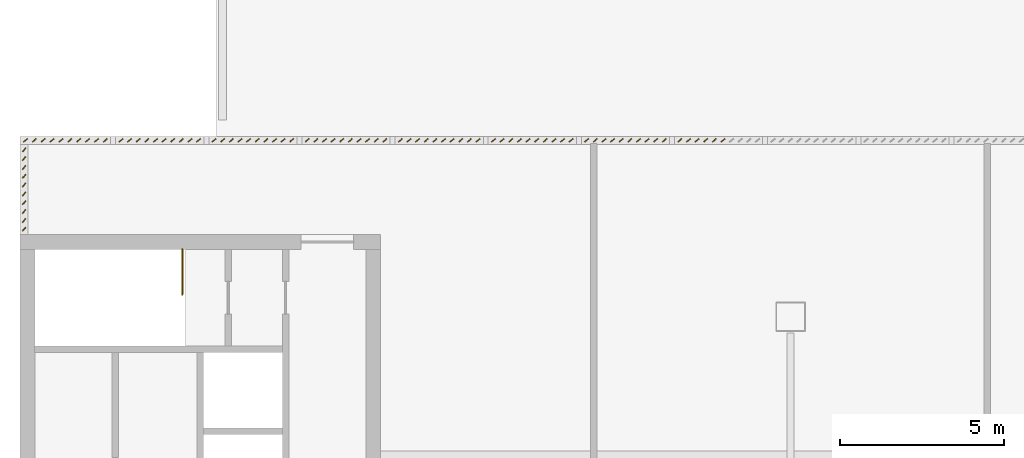
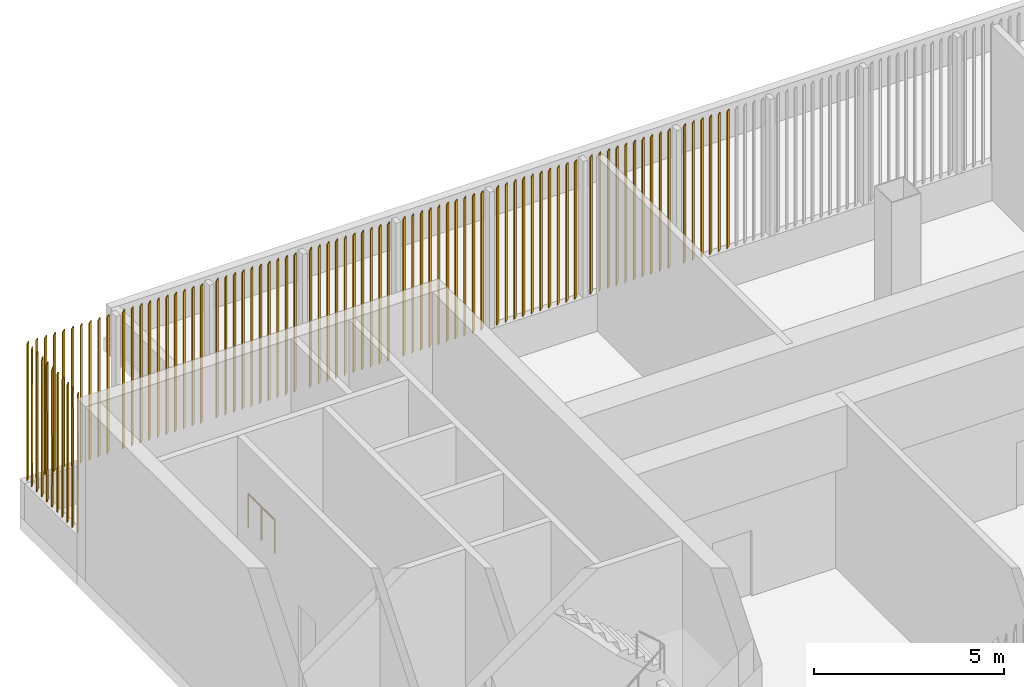
# One storey, part 6 of 9: 86 shading devices, 1 railing.
"""IFC4 building model written with IfcOpenShell, lengths in metres."""

from ifc_helpers import new_model, si_unit, direction, frame, origin, origin_2d, place, context, subcontext, project, spatial, rectangle, circle, extrude, material, material_profile, profile_set, type_object, element, save


model = new_model("IFC4")

# Units and contexts
model_context = context("Model", 3, precision=1e-05, world=origin(), true_north=direction((0.0, 1.0)))
body_context = subcontext(model_context, "Body", "Model", "MODEL_VIEW")
ifc_project = project(units=[si_unit("LENGTHUNIT", "METRE"), si_unit("AREAUNIT", "SQUARE_METRE"), si_unit("VOLUMEUNIT", "CUBIC_METRE"), si_unit("PLANEANGLEUNIT", "RADIAN"), si_unit("MASSUNIT", "GRAM", prefix="KILO")], contexts=[model_context])

# Site, building, storey
site_placement = place(None, origin())
site = spatial("IfcSite", under=ifc_project, at=site_placement, CompositionType="ELEMENT")
building_placement = place(site_placement, origin())
building = spatial("IfcBuilding", under=site, at=building_placement, Name="Kitamizu Gate Tower and Museum", CompositionType="ELEMENT")
storey_placement = place(building_placement, frame((0.0, 0.0, 283.35009765625)))
storey = spatial("IfcBuildingStorey", under=building, at=storey_placement, Name="L76", CompositionType="ELEMENT", Elevation=283.35009765625)

# Shading devices
ifc_material_1 = material(Name="Bronze anodised aluminium", Category="aluminium")
ifc_material_profile = material_profile(ifc_material_1, rectangle(XDim=0.14990234375, YDim=0.02490234375, at=origin_2d()), Name="AL 25x150")
ifc_profile_set = profile_set([ifc_material_profile], Name="Bronze anodised aluminium")
shading_device_type = type_object("IfcShadingDeviceType", Name="LOUVRE FIN LVF1 25x150", PredefinedType="JALOUSIE", material=ifc_profile_set)
for number, where, z_axis, x_axis, name in (
    (1, (12.665283203125, 41.375, 1.199951171875), (0.0, 0.0, 1.0), (0.766044443119, 0.642787609687, 0.0), "Louvre fin NA1-1"),
    (2, (12.935791015625, 41.375, 1.199951171875), (0.0, 0.0, 1.0), (0.766044443119, 0.642787609687, 0.0), "Louvre fin NA1-2"),
    (3, (13.20654296875, 41.375, 1.199951171875), (0.0, 0.0, 1.0), (0.766044443119, 0.642787609687, 0.0), "Louvre fin NA1-3"),
    (4, (13.47705078125, 41.375, 1.199951171875), (0.0, 0.0, 1.0), (0.766044443119, 0.642787609687, 0.0), "Louvre fin NA1-4"),
    (5, (13.74755859375, 41.375, 1.199951171875), (0.0, 0.0, 1.0), (0.766044443119, 0.642787609687, 0.0), "Louvre fin NA1-5"),
    (6, (14.018310546875, 41.375, 1.199951171875), (0.0, 0.0, 1.0), (0.766044443119, 0.642787609687, 0.0), "Louvre fin NA1-6"),
    (7, (14.288818359375, 41.375, 1.199951171875), (0.0, 0.0, 1.0), (0.766044443119, 0.642787609687, 0.0), "Louvre fin NA1-7"),
    (8, (14.559326171875, 41.375, 1.199951171875), (0.0, 0.0, 1.0), (0.766044443119, 0.642787609687, 0.0), "Louvre fin NA1-8"),
    (9, (14.830078125, 41.375, 1.199951171875), (0.0, 0.0, 1.0), (0.766044443119, 0.642787609687, 0.0), "Louvre fin NA1-9"),
    (10, (15.1005859375, 41.375, 1.199951171875), (0.0, 0.0, 1.0), (0.766044443119, 0.642787609687, 0.0), "Louvre fin NA1-10"),
    (11, (15.577392578125, 41.375, 1.199951171875), (0.0, 0.0, 1.0), (0.766044443119, 0.642787609687, 0.0), "Louvre fin NA2-1"),
    (12, (15.840576171875, 41.375, 1.199951171875), (0.0, 0.0, 1.0), (0.766044443119, 0.642787609687, 0.0), "Louvre fin NA2-2"),
    (13, (16.103515625, 41.375, 1.199951171875), (0.0, 0.0, 1.0), (0.766044443119, 0.642787609687, 0.0), "Louvre fin NA2-3"),
    (14, (16.36669921875, 41.375, 1.199951171875), (0.0, 0.0, 1.0), (0.766044443119, 0.642787609687, 0.0), "Louvre fin NA2-4"),
    (15, (16.6298828125, 41.375, 1.199951171875), (0.0, 0.0, 1.0), (0.766044443119, 0.642787609687, 0.0), "Louvre fin NA2-5"),
    (16, (16.892822265625, 41.375, 1.199951171875), (0.0, 0.0, 1.0), (0.766044443119, 0.642787609687, 0.0), "Louvre fin NA2-6"),
    (17, (17.156005859375, 41.375, 1.199951171875), (0.0, 0.0, 1.0), (0.766044443119, 0.642787609687, 0.0), "Louvre fin NA2-7"),
    (18, (17.419189453125, 41.375, 1.199951171875), (0.0, 0.0, 1.0), (0.766044443119, 0.642787609687, 0.0), "Louvre fin NA2-8"),
    (19, (17.68212890625, 41.375, 1.199951171875), (0.0, 0.0, 1.0), (0.766044443119, 0.642787609687, 0.0), "Louvre fin NA2-9"),
    (20, (17.9453125, 41.375, 1.199951171875), (0.0, 0.0, 1.0), (0.766044443119, 0.642787609687, 0.0), "Louvre fin NA2-10"),
    (21, (18.41845703125, 41.375, 1.199951171875), (0.0, 0.0, 1.0), (0.766044443119, 0.642787609687, 0.0), "Louvre fin NA3-1"),
    (22, (18.681396484375, 41.375, 1.199951171875), (0.0, 0.0, 1.0), (0.766044443119, 0.642787609687, 0.0), "Louvre fin NA3-2"),
    (23, (18.944580078125, 41.375, 1.199951171875), (0.0, 0.0, 1.0), (0.766044443119, 0.642787609687, 0.0), "Louvre fin NA3-3"),
    (24, (19.20751953125, 41.375, 1.199951171875), (0.0, 0.0, 1.0), (0.766044443119, 0.642787609687, 0.0), "Louvre fin NA3-4"),
    (25, (19.470703125, 41.375, 1.199951171875), (0.0, 0.0, 1.0), (0.766044443119, 0.642787609687, 0.0), "Louvre fin NA3-5"),
    (26, (19.73388671875, 41.375, 1.199951171875), (0.0, 0.0, 1.0), (0.766044443119, 0.642787609687, 0.0), "Louvre fin NA3-6"),
    (27, (19.996826171875, 41.375, 1.199951171875), (0.0, 0.0, 1.0), (0.766044443119, 0.642787609687, 0.0), "Louvre fin NA3-7"),
    (28, (20.260009765625, 41.375, 1.199951171875), (0.0, 0.0, 1.0), (0.766044443119, 0.642787609687, 0.0), "Louvre fin NA3-8"),
    (29, (20.523193359375, 41.375, 1.199951171875), (0.0, 0.0, 1.0), (0.766044443119, 0.642787609687, 0.0), "Louvre fin NA3-9"),
    (30, (20.7861328125, 41.375, 1.199951171875), (0.0, 0.0, 1.0), (0.766044443119, 0.642787609687, 0.0), "Louvre fin NA3-10"),
    (31, (21.25927734375, 41.375, 1.199951171875), (0.0, 0.0, 1.0), (0.766044443119, 0.642787609687, 0.0), "Louvre fin NA4-1"),
    (32, (21.5224609375, 41.375, 1.199951171875), (0.0, 0.0, 1.0), (0.766044443119, 0.642787609687, 0.0), "Louvre fin NA4-2"),
    (33, (21.785400390625, 41.375, 1.199951171875), (0.0, 0.0, 1.0), (0.766044443119, 0.642787609687, 0.0), "Louvre fin NA4-3"),
    (34, (22.048583984375, 41.375, 1.199951171875), (0.0, 0.0, 1.0), (0.766044443119, 0.642787609687, 0.0), "Louvre fin NA4-4"),
    (35, (22.3115234375, 41.375, 1.199951171875), (0.0, 0.0, 1.0), (0.766044443119, 0.642787609687, 0.0), "Louvre fin NA4-5"),
    (36, (22.57470703125, 41.375, 1.199951171875), (0.0, 0.0, 1.0), (0.766044443119, 0.642787609687, 0.0), "Louvre fin NA4-6"),
    (37, (22.837890625, 41.375, 1.199951171875), (0.0, 0.0, 1.0), (0.766044443119, 0.642787609687, 0.0), "Louvre fin NA4-7"),
    (38, (23.100830078125, 41.375, 1.199951171875), (0.0, 0.0, 1.0), (0.766044443119, 0.642787609687, 0.0), "Louvre fin NA4-8"),
    (39, (23.364013671875, 41.375, 1.199951171875), (0.0, 0.0, 1.0), (0.766044443119, 0.642787609687, 0.0), "Louvre fin NA4-9"),
    (40, (23.627197265625, 41.375, 1.199951171875), (0.0, 0.0, 1.0), (0.766044443119, 0.642787609687, 0.0), "Louvre fin NA4-10"),
    (41, (24.10009765625, 41.375, 1.199951171875), (0.0, 0.0, 1.0), (0.766044443119, 0.642787609687, 0.0), "Louvre fin NA5-1"),
    (42, (24.36328125, 41.375, 1.199951171875), (0.0, 0.0, 1.0), (0.766044443119, 0.642787609687, 0.0), "Louvre fin NA5-2"),
    (43, (24.62646484375, 41.375, 1.199951171875), (0.0, 0.0, 1.0), (0.766044443119, 0.642787609687, 0.0), "Louvre fin NA5-3"),
    (44, (24.889404296875, 41.375, 1.199951171875), (0.0, 0.0, 1.0), (0.766044443119, 0.642787609687, 0.0), "Louvre fin NA5-4"),
    (45, (25.152587890625, 41.375, 1.199951171875), (0.0, 0.0, 1.0), (0.766044443119, 0.642787609687, 0.0), "Louvre fin NA5-5"),
    (46, (25.41552734375, 41.375, 1.199951171875), (0.0, 0.0, 1.0), (0.766044443119, 0.642787609687, 0.0), "Louvre fin NA5-6"),
    (47, (25.6787109375, 41.375, 1.199951171875), (0.0, 0.0, 1.0), (0.766044443119, 0.642787609687, 0.0), "Louvre fin NA5-7"),
    (48, (25.94189453125, 41.375, 1.199951171875), (0.0, 0.0, 1.0), (0.766044443119, 0.642787609687, 0.0), "Louvre fin NA5-8"),
    (49, (26.204833984375, 41.375, 1.199951171875), (0.0, 0.0, 1.0), (0.766044443119, 0.642787609687, 0.0), "Louvre fin NA5-9"),
    (50, (26.468017578125, 41.375, 1.199951171875), (0.0, 0.0, 1.0), (0.766044443119, 0.642787609687, 0.0), "Louvre fin NA5-10"),
    (51, (26.941162109375, 41.375, 1.199951171875), (0.0, 0.0, 1.0), (0.766044443119, 0.642787609687, 0.0), "Louvre fin NA6-1"),
    (52, (27.2041015625, 41.375, 1.199951171875), (0.0, 0.0, 1.0), (0.766044443119, 0.642787609687, 0.0), "Louvre fin NA6-2"),
    (53, (27.46728515625, 41.375, 1.199951171875), (0.0, 0.0, 1.0), (0.766044443119, 0.642787609687, 0.0), "Louvre fin NA6-3"),
    (54, (27.73046875, 41.375, 1.199951171875), (0.0, 0.0, 1.0), (0.766044443119, 0.642787609687, 0.0), "Louvre fin NA6-4"),
    (55, (27.993408203125, 41.375, 1.199951171875), (0.0, 0.0, 1.0), (0.766044443119, 0.642787609687, 0.0), "Louvre fin NA6-5"),
    (56, (28.256591796875, 41.375, 1.199951171875), (0.0, 0.0, 1.0), (0.766044443119, 0.642787609687, 0.0), "Louvre fin NA6-6"),
    (57, (28.51953125, 41.375, 1.199951171875), (0.0, 0.0, 1.0), (0.766044443119, 0.642787609687, 0.0), "Louvre fin NA6-7"),
    (58, (28.78271484375, 41.375, 1.199951171875), (0.0, 0.0, 1.0), (0.766044443119, 0.642787609687, 0.0), "Louvre fin NA6-8"),
    (59, (29.0458984375, 41.375, 1.199951171875), (0.0, 0.0, 1.0), (0.766044443119, 0.642787609687, 0.0), "Louvre fin NA6-9"),
    (60, (29.308837890625, 41.375, 1.199951171875), (0.0, 0.0, 1.0), (0.766044443119, 0.642787609687, 0.0), "Louvre fin NA6-10"),
    (61, (29.781982421875, 41.375, 1.199951171875), (0.0, 0.0, 1.0), (0.766044443119, 0.642787609687, 0.0), "Louvre fin NA7-1"),
    (62, (30.045166015625, 41.375, 1.199951171875), (0.0, 0.0, 1.0), (0.766044443119, 0.642787609687, 0.0), "Louvre fin NA7-2"),
    (63, (30.30810546875, 41.375, 1.199951171875), (0.0, 0.0, 1.0), (0.766044443119, 0.642787609687, 0.0), "Louvre fin NA7-3"),
    (64, (30.5712890625, 41.375, 1.199951171875), (0.0, 0.0, 1.0), (0.766044443119, 0.642787609687, 0.0), "Louvre fin NA7-4"),
    (65, (30.83447265625, 41.375, 1.199951171875), (0.0, 0.0, 1.0), (0.766044443119, 0.642787609687, 0.0), "Louvre fin NA7-5"),
    (66, (31.097412109375, 41.375, 1.199951171875), (0.0, 0.0, 1.0), (0.766044443119, 0.642787609687, 0.0), "Louvre fin NA7-6"),
    (67, (31.360595703125, 41.375, 1.199951171875), (0.0, 0.0, 1.0), (0.766044443119, 0.642787609687, 0.0), "Louvre fin NA7-7"),
    (68, (31.62353515625, 41.375, 1.199951171875), (0.0, 0.0, 1.0), (0.766044443119, 0.642787609687, 0.0), "Louvre fin NA7-8"),
    (69, (31.88671875, 41.375, 1.199951171875), (0.0, 0.0, 1.0), (0.766044443119, 0.642787609687, 0.0), "Louvre fin NA7-9"),
    (70, (32.14990234375, 41.375, 1.199951171875), (0.0, 0.0, 1.0), (0.766044443119, 0.642787609687, 0.0), "Louvre fin NA7-10"),
    (71, (32.622802734375, 41.375, 1.199951171875), (0.0, 0.0, 1.0), (0.766044443119, 0.642787609687, 0.0), "Louvre fin NA8-1"),
    (72, (32.885986328125, 41.375, 1.199951171875), (0.0, 0.0, 1.0), (0.766044443119, 0.642787609687, 0.0), "Louvre fin NA8-2"),
    (73, (33.149169921875, 41.375, 1.199951171875), (0.0, 0.0, 1.0), (0.766044443119, 0.642787609687, 0.0), "Louvre fin NA8-3"),
    (74, (33.412109375, 41.375, 1.199951171875), (0.0, 0.0, 1.0), (0.766044443119, 0.642787609687, 0.0), "Louvre fin NA8-4"),
    (75, (33.67529296875, 41.375, 1.199951171875), (0.0, 0.0, 1.0), (0.766044443119, 0.642787609687, 0.0), "Louvre fin NA8-5"),
    (76, (33.9384765625, 41.375, 1.199951171875), (0.0, 0.0, 1.0), (0.766044443119, 0.642787609687, 0.0), "Louvre fin NA8-6"),
    (77, (12.625, 38.66455078125, 1.199951171875), (0.0, 0.0, 1.0), (0.642787609687, 0.766044443119, 0.0), "Louvre fin WN1-1"),
    (78, (12.625, 38.93359375, 1.199951171875), (0.0, 0.0, 1.0), (0.642787609687, 0.766044443119, 0.0), "Louvre fin WN1-2"),
    (79, (12.625, 39.202392578125, 1.199951171875), (0.0, 0.0, 1.0), (0.642787609687, 0.766044443119, 0.0), "Louvre fin WN1-3"),
    (80, (12.625, 39.471435546875, 1.199951171875), (0.0, 0.0, 1.0), (0.642787609687, 0.766044443119, 0.0), "Louvre fin WN1-4"),
    (81, (12.625, 39.740478515625, 1.199951171875), (0.0, 0.0, 1.0), (0.642787609687, 0.766044443119, 0.0), "Louvre fin WN1-5"),
    (82, (12.625, 40.009521484375, 1.199951171875), (0.0, 0.0, 1.0), (0.642787609687, 0.766044443119, 0.0), "Louvre fin WN1-6"),
    (83, (12.625, 40.278564453125, 1.199951171875), (0.0, 0.0, 1.0), (0.642787609687, 0.766044443119, 0.0), "Louvre fin WN1-7"),
    (84, (12.625, 40.547607421875, 1.199951171875), (0.0, 0.0, 1.0), (0.642787609687, 0.766044443119, 0.0), "Louvre fin WN1-8"),
    (85, (12.625, 40.81640625, 1.199951171875), (0.0, 0.0, 1.0), (0.642787609687, 0.766044443119, 0.0), "Louvre fin WN1-9"),
    (86, (12.625, 41.08544921875, 1.199951171875), (0.0, 0.0, 1.0), (0.642787609687, 0.766044443119, 0.0), "Louvre fin WN1-10"),
):
    element("IfcShadingDevice", number, at=place(storey_placement, frame(where, z_axis=z_axis, x_axis=x_axis)), inside=storey, type_object=shading_device_type, Name=name, PredefinedType="JALOUSIE", context=body_context, shape_type="SweptSolid", body=[
        extrude(rectangle(XDim=0.14990234375, YDim=0.02490234375, at=origin_2d()), origin(), (0.0, 0.0, 1.0), 4.39990234375),
    ])

# Railing
ifc_material_2 = material(Name="Stainless steel SUS304 with toughened glass", Category="steel")
railing_type = type_object("IfcRailingType", Name="Stair guard 1100", PredefinedType="GUARDRAIL", material=ifc_material_2)
railing_placement = place(storey_placement, frame((17.449951171875, 36.675048828125, 0.0)))
element("IfcRailing", 87, at=railing_placement, inside=storey, type_object=railing_type, Name="Stair guard W-N", PredefinedType="GUARDRAIL", context=body_context, shape_type="SweptSolid", body=[
    extrude(circle(Radius=0.02392578125, at=origin_2d()), frame((0.0, 0.0, 1.076171875), z_axis=(0.0, 1.0, 0.0), x_axis=(-1.0, 0.0, 0.0)), (0.0, 0.0, 1.0), 1.375),
    extrude(circle(Radius=0.02099609375, at=origin_2d()), origin(), (0.0, 0.0, 1.0), 1.052001953125),
    extrude(circle(Radius=0.02099609375, at=origin_2d()), frame((0.0, 0.6875, 0.0)), (0.0, 0.0, 1.0), 1.052001953125),
    extrude(circle(Radius=0.02099609375, at=origin_2d()), frame((0.0, 1.375, 0.0)), (0.0, 0.0, 1.0), 1.052001953125),
])

save(model, "model.ifc")
